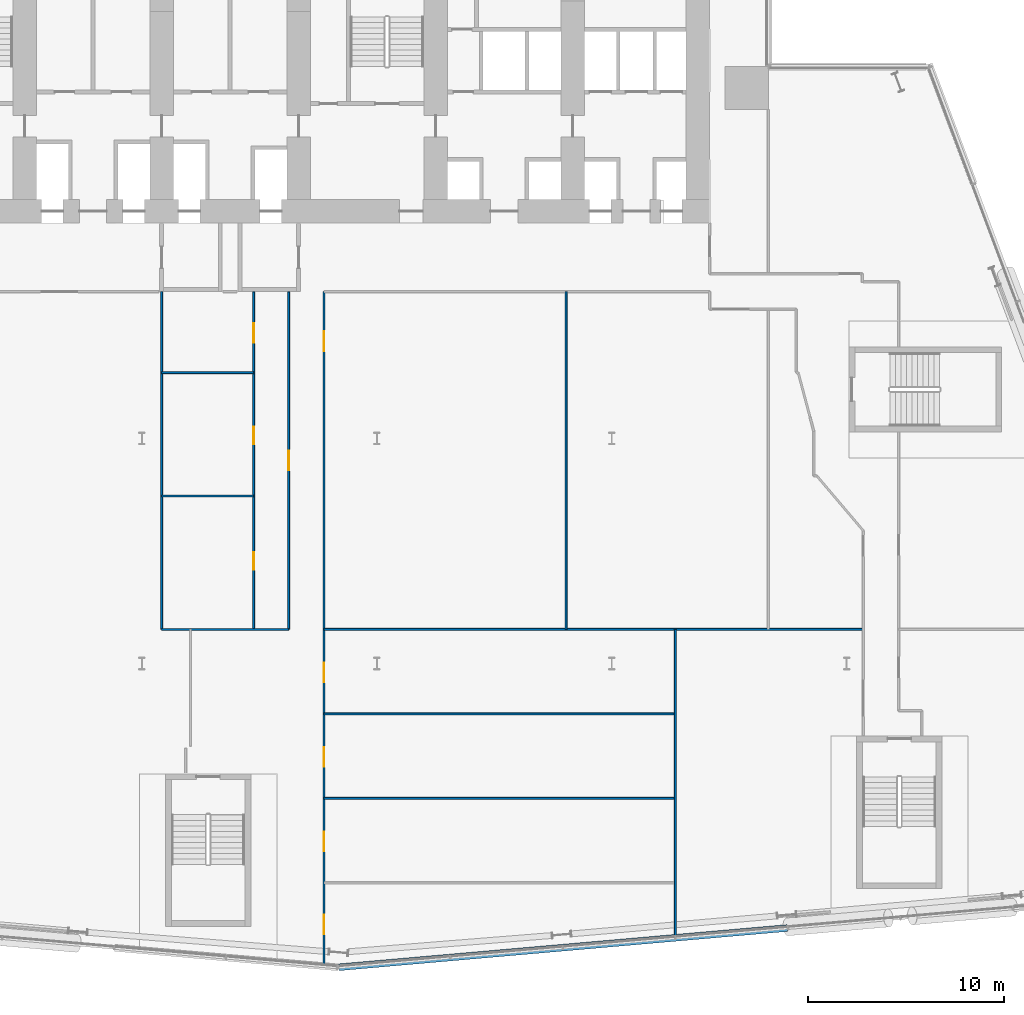
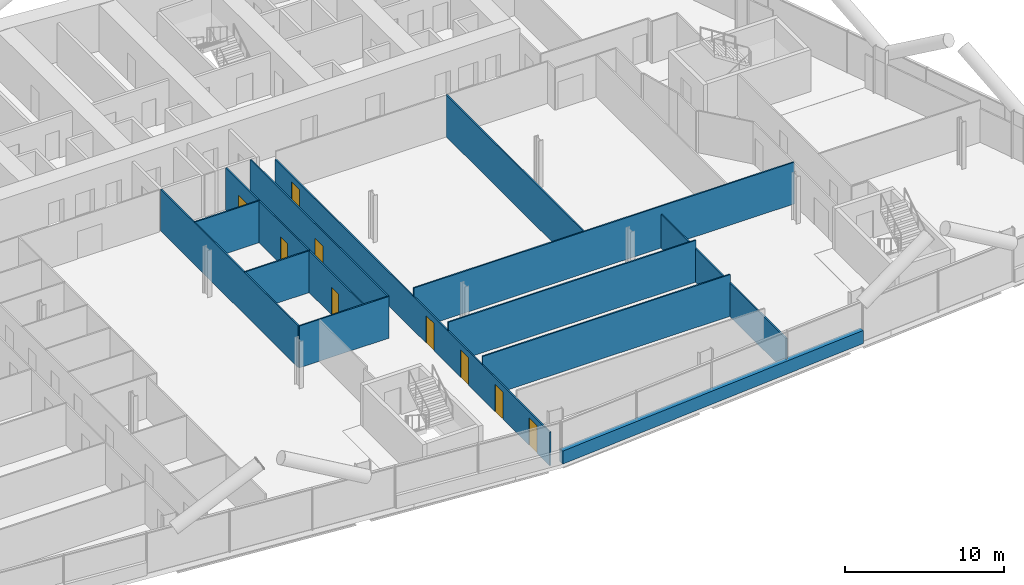
# One storey, part 14 of 27: 13 walls, 9 doors, 9 openings.
"""IFC4 building model written with IfcOpenShell, lengths in metres."""

from ifc_helpers import new_model, si_unit, direction, frame, frame_2d, origin, place, context, subcontext, project, spatial, rectangle, extrude, material, layer, layer_set, type_object, element, fill, save


model = new_model("IFC4")

# Units and contexts
model_context = context("Model", 3, precision=1e-05, world=origin(), true_north=direction((0.0, 1.0)))
body_context = subcontext(model_context, "Body", "Model", "MODEL_VIEW")
ifc_project = project(units=[si_unit("LENGTHUNIT", "METRE"), si_unit("AREAUNIT", "SQUARE_METRE"), si_unit("VOLUMEUNIT", "CUBIC_METRE"), si_unit("PLANEANGLEUNIT", "RADIAN"), si_unit("MASSUNIT", "GRAM", prefix="KILO")], contexts=[model_context])

# Site, building, storey
site_placement = place(None, origin())
site = spatial("IfcSite", under=ifc_project, at=site_placement, CompositionType="ELEMENT")
building_placement = place(site_placement, origin())
building = spatial("IfcBuilding", under=site, at=building_placement, Name="Wharfspan Tower", CompositionType="ELEMENT")
storey_placement = place(building_placement, frame((0.0, 0.0, 81.100098)))
storey = spatial("IfcBuildingStorey", under=building, at=storey_placement, Name="L17", CompositionType="ELEMENT", Elevation=81.100098)

# Walls
ifc_material_1 = material(Name="Gypsum board on steel studs", Category="steel")
ifc_layer_1 = layer(ifc_material_1, 0.100098)
ifc_layer_set_1 = layer_set([ifc_layer_1], Name="Gypsum board on steel studs")
wall_type_1 = type_object("IfcWallType", Name="Compartment wall 100 EI 60", PredefinedType="PARTITIONING", material=ifc_layer_set_1)
wall_1_placement = place(storey_placement, frame((37.0, 13.235107, 0.0), z_axis=(0.0, 0.0, 1.0), x_axis=(1.0, 0.0, 0.0)))
element("IfcWall", 1, at=wall_1_placement, inside=storey, type_object=wall_type_1, Name="Partition L17.w032", PredefinedType="PARTITIONING", context=body_context, shape_type="SweptSolid", body=[
    extrude(rectangle(XDim=6.48999, YDim=0.100098, at=frame_2d((3.245117, 0.0))), origin(), (0.0, 0.0, 1.0), 3.199951),
])
wall_2_placement = place(storey_placement, frame((37.0, 13.23999, 0.0), z_axis=(0.0, 0.0, 1.0), x_axis=(0.0, 1.0, 0.0)))
element("IfcWall", 2, at=wall_2_placement, inside=storey, type_object=wall_type_1, Name="Partition L17.w033", PredefinedType="PARTITIONING", context=body_context, shape_type="SweptSolid", body=[
    extrude(rectangle(XDim=17.26001, YDim=0.100098, at=frame_2d((8.629883, 0.0))), origin(), (0.0, 0.0, 1.0), 3.199951),
])

# Wall, openings, doors
wall_3_placement = place(storey_placement, frame((41.699951, 13.23999, 0.0), z_axis=(0.0, 0.0, 1.0), x_axis=(0.0, 1.0, 0.0)))
wall_3 = element("IfcWall", 3, at=wall_3_placement, inside=storey, type_object=wall_type_1, Name="Partition L17.w038", PredefinedType="PARTITIONING", context=body_context, shape_type="SweptSolid", body=[
    extrude(rectangle(XDim=17.25, YDim=0.100098, at=frame_2d((8.625, 0.0))), origin(), (0.0, 0.0, 1.0), 3.199951),
])
opening_1_placement = place(wall_3_placement, frame((3.045898, 0.0, 0.0)))
opening_1 = element("IfcOpeningElement", 4, at=opening_1_placement, cuts=wall_3, Name="Opening A4-15", PredefinedType="OPENING", context=body_context, shape_type="SweptSolid", body=[
    extrude(rectangle(XDim=0.899902, YDim=2.100098, at=frame_2d((0.449951, 1.050049))), frame((0.0, 0.060059, 0.0), z_axis=(0.0, -1.0, 0.0), x_axis=(1.0, 0.0, 0.0)), (0.0, 0.0, 1.0), 0.120117),
])
opening_2_placement = place(wall_3_placement, frame((9.465088, 0.0, 0.0)))
opening_2 = element("IfcOpeningElement", 5, at=opening_2_placement, cuts=wall_3, Name="Opening A4-22", PredefinedType="OPENING", context=body_context, shape_type="SweptSolid", body=[
    extrude(rectangle(XDim=0.899902, YDim=2.100098, at=frame_2d((0.449951, 1.050049))), frame((0.0, 0.060059, 0.0), z_axis=(0.0, -1.0, 0.0), x_axis=(1.0, 0.0, 0.0)), (0.0, 0.0, 1.0), 0.120117),
])
opening_3_placement = place(wall_3_placement, frame((14.640381, 0.0, 0.0)))
opening_3 = element("IfcOpeningElement", 6, at=opening_3_placement, cuts=wall_3, Name="Opening A4-27", PredefinedType="OPENING", context=body_context, shape_type="SweptSolid", body=[
    extrude(rectangle(XDim=1.0, YDim=2.100098, at=frame_2d((0.5, 1.050049))), frame((0.0, 0.060059, 0.0), z_axis=(0.0, -1.0, 0.0), x_axis=(1.0, 0.0, 0.0)), (0.0, 0.0, 1.0), 0.120117),
])
ifc_material_2 = material(Name="Timber door leaf in steel frame", Category="steel")
door_type_1 = type_object("IfcDoorType", Name="Door 1000 NOT RATED Right", OperationType="SINGLE_SWING_RIGHT", PredefinedType="DOOR", material=ifc_material_2)
door_1_placement = place(opening_3_placement, origin())
door_1 = element("IfcDoor", 7, at=door_1_placement, inside=storey, type_object=door_type_1, Name="Door A4-27", OperationType="SINGLE_SWING_RIGHT", OverallHeight=2.100098, OverallWidth=1.0, PredefinedType="DOOR", context=body_context, shape_type="SweptSolid", body=[
    extrude(rectangle(XDim=1.0, YDim=2.100098, at=frame_2d((0.5, 1.050049))), frame((0.0, 0.024902, 0.0), z_axis=(0.0, -1.0, 0.0), x_axis=(1.0, 0.0, 0.0)), (0.0, 0.0, 1.0), 0.050049),
])
fill(opening_3, door_1)
door_type_2 = type_object("IfcDoorType", Name="Door 900 NOT RATED Left", OperationType="SINGLE_SWING_LEFT", PredefinedType="DOOR", material=ifc_material_2)
door_2_placement = place(opening_1_placement, origin())
door_2 = element("IfcDoor", 8, at=door_2_placement, inside=storey, type_object=door_type_2, Name="Door A4-15", OperationType="SINGLE_SWING_LEFT", OverallHeight=2.100098, OverallWidth=0.899902, PredefinedType="DOOR", context=body_context, shape_type="SweptSolid", body=[
    extrude(rectangle(XDim=0.899902, YDim=2.100098, at=frame_2d((0.449951, 1.050049))), frame((0.0, 0.024902, 0.0), z_axis=(0.0, -1.0, 0.0), x_axis=(1.0, 0.0, 0.0)), (0.0, 0.0, 1.0), 0.050049),
])
fill(opening_1, door_2)
door_type_3 = type_object("IfcDoorType", Name="Door 900 NOT RATED Right", OperationType="SINGLE_SWING_RIGHT", PredefinedType="DOOR", material=ifc_material_2)
door_3_placement = place(opening_2_placement, origin())
door_3 = element("IfcDoor", 9, at=door_3_placement, inside=storey, type_object=door_type_3, Name="Door A4-22", OperationType="SINGLE_SWING_RIGHT", OverallHeight=2.100098, OverallWidth=0.899902, PredefinedType="DOOR", context=body_context, shape_type="SweptSolid", body=[
    extrude(rectangle(XDim=0.899902, YDim=2.100098, at=frame_2d((0.449951, 1.050049))), frame((0.0, 0.024902, 0.0), z_axis=(0.0, -1.0, 0.0), x_axis=(1.0, 0.0, 0.0)), (0.0, 0.0, 1.0), 0.050049),
])
fill(opening_2, door_3)

# Wall, opening, door
wall_4_placement = place(storey_placement, frame((43.48999, 13.23999, 0.0), z_axis=(0.0, 0.0, 1.0), x_axis=(0.0, 1.0, 0.0)))
wall_4 = element("IfcWall", 10, at=wall_4_placement, inside=storey, type_object=wall_type_1, Name="Partition L17.w039", PredefinedType="PARTITIONING", context=body_context, shape_type="SweptSolid", body=[
    extrude(rectangle(XDim=17.25, YDim=0.100098, at=frame_2d((8.625, 0.0))), origin(), (0.0, 0.0, 1.0), 3.199951),
])
opening_4_placement = place(wall_4_placement, frame((8.139404, 0.0, 0.0)))
opening_4 = element("IfcOpeningElement", 11, at=opening_4_placement, cuts=wall_4, Name="Opening A4-21", PredefinedType="OPENING", context=body_context, shape_type="SweptSolid", body=[
    extrude(rectangle(XDim=1.0, YDim=2.100098, at=frame_2d((0.5, 1.050049))), frame((0.0, 0.060059, 0.0), z_axis=(0.0, -1.0, 0.0), x_axis=(1.0, 0.0, 0.0)), (0.0, 0.0, 1.0), 0.120117),
])
ifc_material_3 = material(Name="Fire-rated timber door leaf in steel frame", Category="steel")
door_type_4 = type_object("IfcDoorType", Name="Door 1000 FD30S Right", OperationType="SINGLE_SWING_RIGHT", PredefinedType="DOOR", material=ifc_material_3)
door_4_placement = place(opening_4_placement, origin())
door_4 = element("IfcDoor", 12, at=door_4_placement, inside=storey, type_object=door_type_4, Name="Door A4-21", OperationType="SINGLE_SWING_RIGHT", OverallHeight=2.100098, OverallWidth=1.0, PredefinedType="DOOR", context=body_context, shape_type="SweptSolid", body=[
    extrude(rectangle(XDim=1.0, YDim=2.100098, at=frame_2d((0.5, 1.050049))), frame((0.0, 0.024902, 0.0), z_axis=(0.0, -1.0, 0.0), x_axis=(1.0, 0.0, 0.0)), (0.0, 0.0, 1.0), 0.050049),
])
fill(opening_4, door_4)

# Wall, openings, doors
wall_5_placement = place(storey_placement, frame((45.300049, -3.943115, 0.0), z_axis=(0.0, 0.0, 1.0), x_axis=(0.0, 1.0, 0.0)))
wall_5 = element("IfcWall", 13, at=wall_5_placement, inside=storey, type_object=wall_type_1, Name="Partition L17.w040", PredefinedType="PARTITIONING", context=body_context, shape_type="SweptSolid", body=[
    extrude(rectangle(XDim=34.443115, YDim=0.100098, at=frame_2d((17.22168, 0.0))), origin(), (0.0, 0.0, 1.0), 2.579834),
])
opening_5_placement = place(wall_5_placement, frame((1.598145, 0.0, 0.0)))
opening_5 = element("IfcOpeningElement", 14, at=opening_5_placement, cuts=wall_5, Name="Opening A4-01", PredefinedType="OPENING", context=body_context, shape_type="SweptSolid", body=[
    extrude(rectangle(XDim=1.0, YDim=2.100098, at=frame_2d((0.5, 1.050049))), frame((0.0, 0.060059, 0.0), z_axis=(0.0, -1.0, 0.0), x_axis=(1.0, 0.0, 0.0)), (0.0, 0.0, 1.0), 0.120117),
])
opening_6_placement = place(wall_5_placement, frame((5.853271, 0.0, 0.0)))
opening_6 = element("IfcOpeningElement", 15, at=opening_6_placement, cuts=wall_5, Name="Opening A4-04", PredefinedType="OPENING", context=body_context, shape_type="SweptSolid", body=[
    extrude(rectangle(XDim=1.0, YDim=2.100098, at=frame_2d((0.5, 1.050049))), frame((0.0, 0.060059, 0.0), z_axis=(0.0, -1.0, 0.0), x_axis=(1.0, 0.0, 0.0)), (0.0, 0.0, 1.0), 0.120117),
])
opening_7_placement = place(wall_5_placement, frame((10.173096, 0.0, 0.0)))
opening_7 = element("IfcOpeningElement", 16, at=opening_7_placement, cuts=wall_5, Name="Opening A4-07", PredefinedType="OPENING", context=body_context, shape_type="SweptSolid", body=[
    extrude(rectangle(XDim=1.0, YDim=2.100098, at=frame_2d((0.5, 1.050049))), frame((0.0, 0.060059, 0.0), z_axis=(0.0, -1.0, 0.0), x_axis=(1.0, 0.0, 0.0)), (0.0, 0.0, 1.0), 0.120117),
])
opening_8_placement = place(wall_5_placement, frame((14.488281, 0.0, 0.0)))
opening_8 = element("IfcOpeningElement", 17, at=opening_8_placement, cuts=wall_5, Name="Opening A4-11", PredefinedType="OPENING", context=body_context, shape_type="SweptSolid", body=[
    extrude(rectangle(XDim=1.0, YDim=2.100098, at=frame_2d((0.5, 1.050049))), frame((0.0, 0.060059, 0.0), z_axis=(0.0, -1.0, 0.0), x_axis=(1.0, 0.0, 0.0)), (0.0, 0.0, 1.0), 0.120117),
])
opening_9_placement = place(wall_5_placement, frame((31.40332, 0.0, 0.0)))
opening_9 = element("IfcOpeningElement", 18, at=opening_9_placement, cuts=wall_5, Name="Opening A4-26", PredefinedType="OPENING", context=body_context, shape_type="SweptSolid", body=[
    extrude(rectangle(XDim=1.0, YDim=2.100098, at=frame_2d((0.5, 1.050049))), frame((0.0, 0.060059, 0.0), z_axis=(0.0, -1.0, 0.0), x_axis=(1.0, 0.0, 0.0)), (0.0, 0.0, 1.0), 0.120117),
])
door_type_5 = type_object("IfcDoorType", Name="Door 1000 FD30S Left", OperationType="SINGLE_SWING_LEFT", PredefinedType="DOOR", material=ifc_material_3)
door_5_placement = place(opening_5_placement, origin())
door_5 = element("IfcDoor", 19, at=door_5_placement, inside=storey, type_object=door_type_5, Name="Door A4-01", OperationType="SINGLE_SWING_LEFT", OverallHeight=2.100098, OverallWidth=1.0, PredefinedType="DOOR", context=body_context, shape_type="SweptSolid", body=[
    extrude(rectangle(XDim=1.0, YDim=2.100098, at=frame_2d((0.5, 1.050049))), frame((0.0, 0.024902, 0.0), z_axis=(0.0, -1.0, 0.0), x_axis=(1.0, 0.0, 0.0)), (0.0, 0.0, 1.0), 0.050049),
])
fill(opening_5, door_5)
door_6_placement = place(opening_6_placement, origin())
door_6 = element("IfcDoor", 20, at=door_6_placement, inside=storey, type_object=door_type_5, Name="Door A4-04", OperationType="SINGLE_SWING_LEFT", OverallHeight=2.100098, OverallWidth=1.0, PredefinedType="DOOR", context=body_context, shape_type="SweptSolid", body=[
    extrude(rectangle(XDim=1.0, YDim=2.100098, at=frame_2d((0.5, 1.050049))), frame((0.0, 0.024902, 0.0), z_axis=(0.0, -1.0, 0.0), x_axis=(1.0, 0.0, 0.0)), (0.0, 0.0, 1.0), 0.050049),
])
fill(opening_6, door_6)
door_7_placement = place(opening_7_placement, origin())
door_7 = element("IfcDoor", 21, at=door_7_placement, inside=storey, type_object=door_type_5, Name="Door A4-07", OperationType="SINGLE_SWING_LEFT", OverallHeight=2.100098, OverallWidth=1.0, PredefinedType="DOOR", context=body_context, shape_type="SweptSolid", body=[
    extrude(rectangle(XDim=1.0, YDim=2.100098, at=frame_2d((0.5, 1.050049))), frame((0.0, 0.024902, 0.0), z_axis=(0.0, -1.0, 0.0), x_axis=(1.0, 0.0, 0.0)), (0.0, 0.0, 1.0), 0.050049),
])
fill(opening_7, door_7)
door_8_placement = place(opening_8_placement, origin())
door_8 = element("IfcDoor", 22, at=door_8_placement, inside=storey, type_object=door_type_5, Name="Door A4-11", OperationType="SINGLE_SWING_LEFT", OverallHeight=2.100098, OverallWidth=1.0, PredefinedType="DOOR", context=body_context, shape_type="SweptSolid", body=[
    extrude(rectangle(XDim=1.0, YDim=2.100098, at=frame_2d((0.5, 1.050049))), frame((0.0, 0.024902, 0.0), z_axis=(0.0, -1.0, 0.0), x_axis=(1.0, 0.0, 0.0)), (0.0, 0.0, 1.0), 0.050049),
])
fill(opening_8, door_8)
door_9_placement = place(opening_9_placement, origin())
door_9 = element("IfcDoor", 23, at=door_9_placement, inside=storey, type_object=door_type_4, Name="Door A4-26", OperationType="SINGLE_SWING_RIGHT", OverallHeight=2.100098, OverallWidth=1.0, PredefinedType="DOOR", context=body_context, shape_type="SweptSolid", body=[
    extrude(rectangle(XDim=1.0, YDim=2.100098, at=frame_2d((0.5, 1.050049))), frame((0.0, 0.024902, 0.0), z_axis=(0.0, -1.0, 0.0), x_axis=(1.0, 0.0, 0.0)), (0.0, 0.0, 1.0), 0.050049),
])
fill(opening_9, door_9)

# Walls
for number, where, z_axis, x_axis, name in (
    (24, (45.300049, 4.60498, 0.0), (0.0, 0.0, 1.0), (1.0, 0.0, 0.0), "Partition L17.w042"),
    (25, (45.300049, 8.919922, 0.0), (0.0, 0.0, 1.0), (1.0, 0.0, 0.0), "Partition L17.w043"),
):
    element("IfcWall", number, at=place(storey_placement, frame(where, z_axis=z_axis, x_axis=x_axis)), inside=storey, type_object=wall_type_1, Name=name, PredefinedType="PARTITIONING", context=body_context, shape_type="SweptSolid", body=[
        extrude(rectangle(XDim=17.949951, YDim=0.100098, at=frame_2d((8.975098, 0.0))), origin(), (0.0, 0.0, 1.0), 3.199951),
    ])
wall_6_placement = place(storey_placement, frame((45.300049, 13.23999, 0.0), z_axis=(0.0, 0.0, 1.0), x_axis=(1.0, 0.0, 0.0)))
element("IfcWall", 26, at=wall_6_placement, inside=storey, type_object=wall_type_1, Name="Partition L17.w044", PredefinedType="PARTITIONING", context=body_context, shape_type="SweptSolid", body=[
    extrude(rectangle(XDim=27.560059, YDim=0.100098, at=frame_2d((13.780029, 0.0))), origin(), (0.0, 0.0, 1.0), 3.199951),
])
wall_7_placement = place(storey_placement, frame((57.669922, 13.23999, 0.0), z_axis=(0.0, 0.0, 1.0), x_axis=(0.0, 1.0, 0.0)))
element("IfcWall", 27, at=wall_7_placement, inside=storey, type_object=wall_type_1, Name="Partition L17.w046", PredefinedType="PARTITIONING", context=body_context, shape_type="SweptSolid", body=[
    extrude(rectangle(XDim=17.26001, YDim=0.100098, at=frame_2d((8.629883, 0.0))), origin(), (0.0, 0.0, 1.0), 3.199951),
])
ifc_layer_2 = layer(ifc_material_1, 0.100098)
ifc_layer_set_2 = layer_set([ifc_layer_2], Name="Gypsum board on steel studs")
wall_type_2 = type_object("IfcWallType", Name="Partition 100", PredefinedType="PARTITIONING", material=ifc_layer_set_2)
for number, where, z_axis, x_axis, name in (
    (28, (37.0, 20.054932, 0.0), (0.0, 0.0, 1.0), (1.0, 0.0, 0.0), "Partition L17.w034"),
    (29, (37.0, 26.35498, 0.0), (0.0, 0.0, 1.0), (1.0, 0.0, 0.0), "Partition L17.w035"),
):
    element("IfcWall", number, at=place(storey_placement, frame(where, z_axis=z_axis, x_axis=x_axis)), inside=storey, type_object=wall_type_2, Name=name, PredefinedType="PARTITIONING", context=body_context, shape_type="SweptSolid", body=[
        extrude(rectangle(XDim=4.699951, YDim=0.100098, at=frame_2d((2.350098, 0.0))), origin(), (0.0, 0.0, 1.0), 3.199951),
    ])
wall_8_placement = place(storey_placement, frame((63.25, -2.495117, 0.0), z_axis=(0.0, 0.0, 1.0), x_axis=(0.0, 1.0, 0.0)))
element("IfcWall", 30, at=wall_8_placement, inside=storey, type_object=wall_type_2, Name="Partition L17.w047", PredefinedType="PARTITIONING", context=body_context, shape_type="SweptSolid", body=[
    extrude(rectangle(XDim=15.735107, YDim=0.100098, at=frame_2d((7.867676, 0.0))), origin(), (0.0, 0.0, 1.0), 2.579834),
])
ifc_material_4 = material(Name="Concrete C40/50", Category="concrete")
ifc_layer_3 = layer(ifc_material_4, 0.350098)
ifc_layer_set_3 = layer_set([ifc_layer_3], Name="Concrete C40/50")
wall_type_3 = type_object("IfcWallType", Name="SPANDREL EXPOSED CONCRETE 350", PredefinedType="SOLIDWALL", material=ifc_layer_set_3)
wall_9_placement = place(storey_placement, frame((46.04541, -4.025635, 0.0), z_axis=(0.0, 0.0, 1.0), x_axis=(0.99619, 0.087163, 0.0)))
element("IfcWall", 31, at=wall_9_placement, inside=storey, type_object=wall_type_3, Name="Spandrel upstand L17 S2 1", PredefinedType="SOLIDWALL", context=body_context, shape_type="SweptSolid", body=[
    extrude(rectangle(XDim=23.012695, YDim=0.350098, at=frame_2d((11.506348, 0.0))), origin(), (0.0, 0.0, 1.0), 1.0),
])

save(model, "model.ifc")
